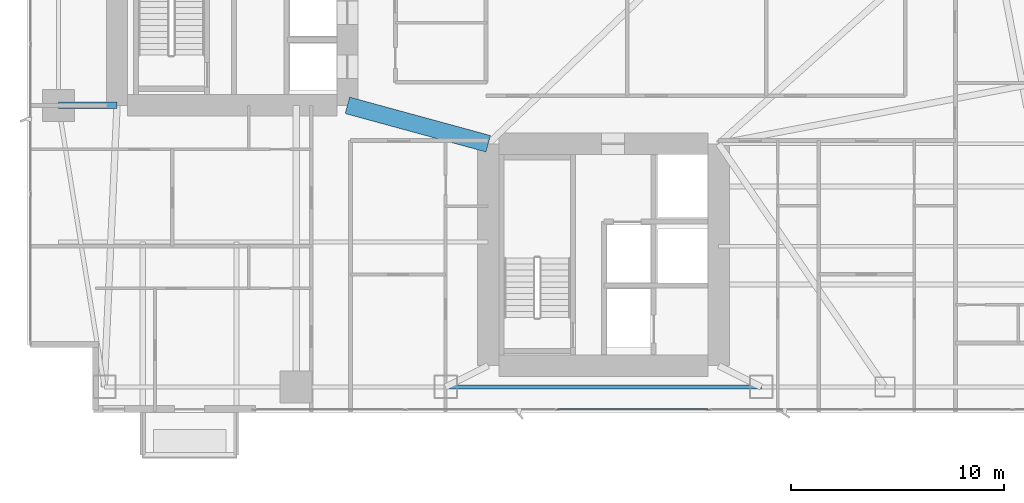
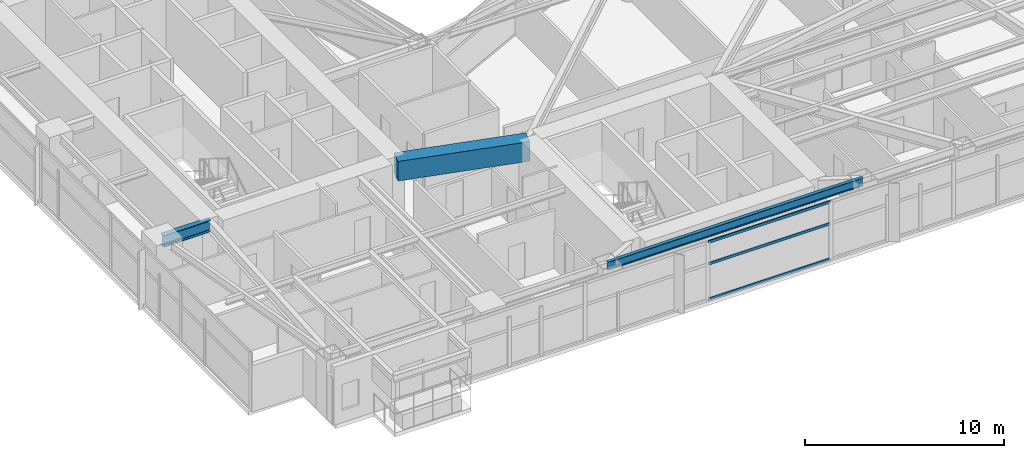
# One storey, part 7 of 30: 3 beams, 3 members, 1 element without a shape of its own.
"""IFC4 building model written with IfcOpenShell, lengths in metres."""

from ifc_helpers import new_model, si_unit, direction, frame, origin, origin_2d, place, context, subcontext, project, spatial, rectangle, hollow_rectangle, i_section, extrude, material, layer, layer_set, material_profile, profile_set, type_object, element, aggregate, save


model = new_model("IFC4")

# Units and contexts
model_context = context("Model", 3, precision=1e-05, world=origin(), true_north=direction((0.0, 1.0)))
body_context = subcontext(model_context, "Body", "Model", "MODEL_VIEW")
ifc_project = project(units=[si_unit("LENGTHUNIT", "METRE"), si_unit("AREAUNIT", "SQUARE_METRE"), si_unit("VOLUMEUNIT", "CUBIC_METRE"), si_unit("PLANEANGLEUNIT", "RADIAN"), si_unit("MASSUNIT", "GRAM", prefix="KILO")], contexts=[model_context])

# Site, building, storey
site_placement = place(None, origin())
site = spatial("IfcSite", under=ifc_project, at=site_placement, CompositionType="ELEMENT")
building_placement = place(site_placement, origin())
building = spatial("IfcBuilding", under=site, at=building_placement, Name="Calvorn Quay Hotel", CompositionType="ELEMENT")
storey_placement = place(building_placement, frame((0.0, 0.0, 73.60009765625)))
storey = spatial("IfcBuildingStorey", under=building, at=storey_placement, Name="L17", CompositionType="ELEMENT", Elevation=73.60009765625)

# Beams
ifc_material_1 = material(Name="Steel Q390GJC", Category="steel")
ifc_material_profile_1 = material_profile(ifc_material_1, i_section(OverallWidth=0.300048828125, OverallDepth=0.699951171875, WebThickness=0.012939453125, FlangeThickness=0.02392578125, FilletRadius=0.02392578125, at=origin_2d()), Name="HN700x300x13x24")
ifc_profile_set_1 = profile_set([ifc_material_profile_1], Name="Steel Q390GJC")
beam_type_1 = type_object("IfcBeamType", Name="BM-GIRD-MAIN", PredefinedType="BEAM", material=ifc_profile_set_1)
beam_1_placement = place(storey_placement, frame((1.449951171875, 16.800048828125, 3.18994140625), z_axis=(1.0, 0.0, 0.0), x_axis=(0.0, 1.0, 0.0)))
element("IfcBeam", 1, at=beam_1_placement, inside=storey, type_object=beam_type_1, Name="Beam BG-L17-W1", PredefinedType="BEAM", context=body_context, shape_type="SweptSolid", body=[
    extrude(i_section(OverallWidth=0.300048828125, OverallDepth=0.699951171875, WebThickness=0.012939453125, FlangeThickness=0.02392578125, FilletRadius=0.02392578125, at=origin_2d()), origin(), (0.0, 0.0, 1.0), 2.75),
])
ifc_material_2 = material(Name="Concrete C60", Category="concrete")
ifc_material_profile_2 = material_profile(ifc_material_2, rectangle(XDim=0.800048828125, YDim=1.199951171875, at=origin_2d()), Name="RCB800x1200")
ifc_profile_set_2 = profile_set([ifc_material_profile_2], Name="Concrete C60")
beam_type_2 = type_object("IfcBeamType", Name="BM-RC-LINK-800x1200", PredefinedType="BEAM", material=ifc_profile_set_2)
beam_2_placement = place(storey_placement, frame((15.0, 16.800048828125, 2.93994140625), z_axis=(0.964762997686, -0.263120425462, 0.0), x_axis=(0.263120425462, 0.964762997686, 0.0)))
element("IfcBeam", 2, at=beam_2_placement, inside=storey, type_object=beam_type_2, Name="Beam BCL-L17-01", PredefinedType="BEAM", context=body_context, shape_type="SweptSolid", body=[
    extrude(rectangle(XDim=0.800048828125, YDim=1.199951171875, at=origin_2d()), origin(), (0.0, 0.0, 1.0), 6.841064453125),
])
ifc_material_3 = material(Name="Steel Q355B", Category="steel")
ifc_material_profile_3 = material_profile(ifc_material_3, i_section(OverallWidth=0.199951171875, OverallDepth=0.5, WebThickness=0.010009765625, FlangeThickness=0.01611328125, FilletRadius=0.01611328125, at=origin_2d()), Name="HN500x200x10x16")
ifc_profile_set_3 = profile_set([ifc_material_profile_3], Name="Steel Q355B")
beam_type_3 = type_object("IfcBeamType", Name="BM-SPANDREL-Z1", PredefinedType="SPANDREL", material=ifc_profile_set_3)
beam_3_placement = place(storey_placement, frame((19.60009765625, 3.60009765625, 3.289794921875), z_axis=(1.0, 0.0, 0.0), x_axis=(0.0, 1.0, 0.0)))
element("IfcBeam", 3, at=beam_3_placement, inside=storey, type_object=beam_type_3, Name="Beam BSP-L17-S3", PredefinedType="SPANDREL", context=body_context, shape_type="SweptSolid", body=[
    extrude(i_section(OverallWidth=0.199951171875, OverallDepth=0.5, WebThickness=0.010009765625, FlangeThickness=0.01611328125, FilletRadius=0.01611328125, at=origin_2d()), origin(), (0.0, 0.0, 1.0), 14.7998046875),
])

# Curtain wall, members
ifc_material_4 = material(Name="Pale Anodised Aluminium and Low-E Glass", Category="aluminium")
ifc_layer = layer(ifc_material_4, 0.219970703125)
ifc_layer_set = layer_set([ifc_layer], Name="CW-SYS-Z1")
curtain_wall_type = type_object("IfcCurtainWallType", Name="CW-SYS-Z1", PredefinedType="NOTDEFINED", material=ifc_layer_set)
curtain_wall_placement = place(storey_placement, origin())
curtain_wall = element("IfcCurtainWall", 4, at=curtain_wall_placement, inside=storey, type_object=curtain_wall_type, Name="Tower South Waterfront Curtain Wall (L17)", PredefinedType="NOTDEFINED")
ifc_material_5 = material(Name="Pale Anodised Aluminium 6063-T6", Category="aluminium")
ifc_material_profile_4 = material_profile(ifc_material_5, hollow_rectangle(XDim=0.06494140625, YDim=0.1650390625, WallThickness=0.00341796875, at=origin_2d()), Name="ALU-T165x65x3.5")
ifc_profile_set_4 = profile_set([ifc_material_profile_4], Name="Pale Anodised Aluminium 6063-T6")
member_type = type_object("IfcMemberType", Name="CW-SYS-Z1-TRN", PredefinedType="USERDEFINED", material=ifc_profile_set_4)
member_1_placement = place(storey_placement, frame((24.858642578125, 2.550048828125, 0.02978515625), z_axis=(1.0, 0.0, 0.0), x_axis=(0.0, 1.0, 0.0)))
member_1 = element("IfcMember", 5, at=member_1_placement, type_object=member_type, Name="CW-L17-S transom 3.1", ObjectType="TRANSOM", PredefinedType="USERDEFINED", context=body_context, shape_type="SweptSolid", body=[
    extrude(hollow_rectangle(XDim=0.06494140625, YDim=0.1650390625, WallThickness=0.00341796875, at=origin_2d()), origin(), (0.0, 0.0, 1.0), 7.05419921875),
])
member_2_placement = place(storey_placement, frame((24.858642578125, 2.550048828125, 2.199951171875), z_axis=(1.0, 0.0, 0.0), x_axis=(0.0, 1.0, 0.0)))
member_2 = element("IfcMember", 6, at=member_2_placement, type_object=member_type, Name="CW-L17-S transom 3.2", ObjectType="TRANSOM", PredefinedType="USERDEFINED", context=body_context, shape_type="SweptSolid", body=[
    extrude(hollow_rectangle(XDim=0.06494140625, YDim=0.1650390625, WallThickness=0.00341796875, at=origin_2d()), origin(), (0.0, 0.0, 1.0), 7.05419921875),
])
member_3_placement = place(storey_placement, frame((24.858642578125, 2.550048828125, 3.52978515625), z_axis=(1.0, 0.0, 0.0), x_axis=(0.0, 1.0, 0.0)))
member_3 = element("IfcMember", 7, at=member_3_placement, type_object=member_type, Name="CW-L17-S transom 3.3", ObjectType="TRANSOM", PredefinedType="USERDEFINED", context=body_context, shape_type="SweptSolid", body=[
    extrude(hollow_rectangle(XDim=0.06494140625, YDim=0.1650390625, WallThickness=0.00341796875, at=origin_2d()), origin(), (0.0, 0.0, 1.0), 7.05419921875),
])
aggregate(curtain_wall, [member_1, member_2, member_3])

save(model, "model.ifc")
